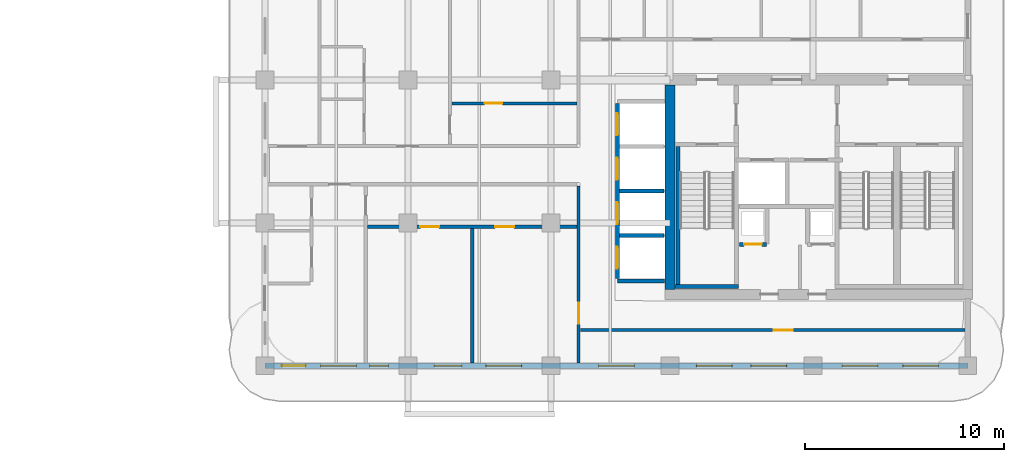
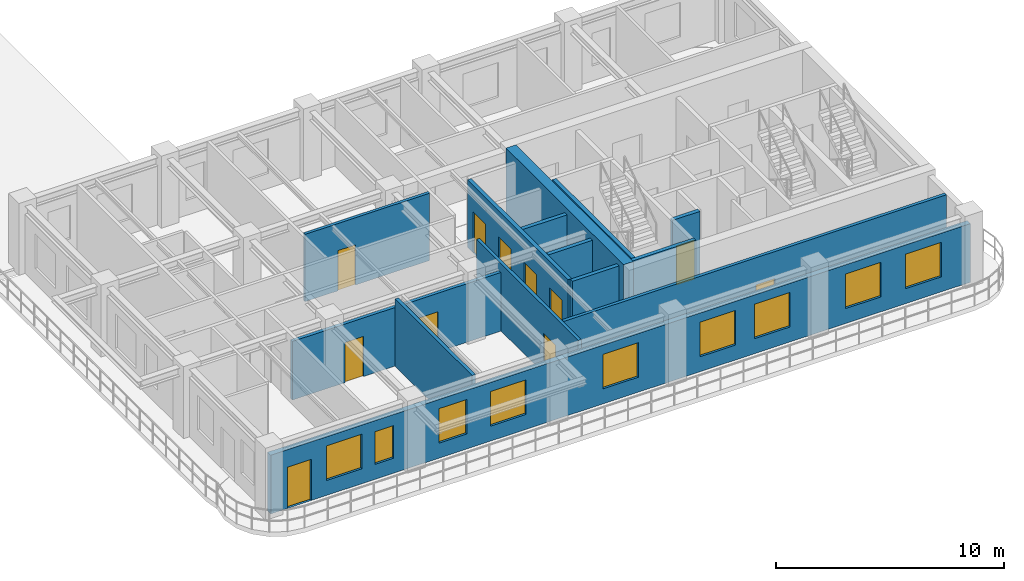
# One storey, part 3 of 8: 14 walls, 11 doors, 9 windows, 20 openings.
"""IFC4 building model written with IfcOpenShell, lengths in metres."""

from ifc_helpers import new_model, si_unit, derived_unit, direction, frame, frame_2d, origin, place, context, subcontext, project, spatial, rectangle, extrude, source, transform, mapped, material, layer, layer_set, type_object, type_shapes, element, fill, save


model = new_model("IFC4")

# Units and contexts
model_context = context("Model", 3, precision=1e-05, world=origin(), true_north=direction((0.0, 1.0)))
body_context = subcontext(model_context, "Body", "Model", "MODEL_VIEW")
ifc_project = project(units=[si_unit("LENGTHUNIT", "METRE"), si_unit("AREAUNIT", "SQUARE_METRE"), si_unit("VOLUMEUNIT", "CUBIC_METRE"), si_unit("PLANEANGLEUNIT", "RADIAN"), si_unit("MASSUNIT", "GRAM", prefix="KILO"), si_unit("THERMODYNAMICTEMPERATUREUNIT", "KELVIN"), si_unit("POWERUNIT", "WATT"), derived_unit("THERMALTRANSMITTANCEUNIT", [(si_unit("POWERUNIT", "WATT"), 1), (si_unit("AREAUNIT", "SQUARE_METRE"), -1), (si_unit("THERMODYNAMICTEMPERATUREUNIT", "KELVIN"), -1)])], contexts=[model_context])

# Site, building, storey
site_placement = place(None, origin())
site = spatial("IfcSite", under=ifc_project, at=site_placement, CompositionType="ELEMENT")
building_placement = place(site_placement, origin())
building = spatial("IfcBuilding", under=site, at=building_placement, Name="Zahravan Archway Hotel and Residences", CompositionType="ELEMENT")
storey_placement = place(building_placement, frame((0.0, 0.0, 213.449951171875)))
storey = spatial("IfcBuildingStorey", under=building, at=storey_placement, Name="L53", CompositionType="ELEMENT", Elevation=213.449951171875)

# Wall
ifc_material_1 = material(Name="Concrete C60/75", Category="concrete")
ifc_layer_1 = layer(ifc_material_1, 0.5, Name="Concrete C60/75", Category="concrete")
ifc_layer_set_1 = layer_set([ifc_layer_1], Name="Concrete C60/75")
wall_type_1 = type_object("IfcWallType", Name="CW-CORE-500", PredefinedType="SHEAR", material=ifc_layer_set_1)
wall_1_placement = place(storey_placement, frame((34.800048828125, 3.85009765625, 0.0), z_axis=(0.0, 0.0, 1.0), x_axis=(0.0, 1.0, 0.0)))
element("IfcWall", 1, at=wall_1_placement, inside=storey, type_object=wall_type_1, Name="L53 Core A Shear W Wall 500 mm", PredefinedType="SHEAR", context=body_context, shape_type="SweptSolid", body=[
    extrude(rectangle(XDim=10.2998046875, YDim=0.5, at=frame_2d((5.14990234375, 0.0))), origin(), (0.0, 0.0, 1.0), 3.85009765625),
])

# Wall, openings, door, windows
ifc_material_2 = material(Name="Honed Red-Ochre Sandstone & Insulated Block", Category="masonry")
ifc_layer_2 = layer(ifc_material_2, 0.280029296875, Name="Honed Red-Ochre Sandstone & Insulated Block", Category="masonry")
ifc_layer_set_2 = layer_set([ifc_layer_2], Name="Honed Red-Ochre Sandstone & Insulated Block")
wall_type_2 = type_object("IfcWallType", Name="EW-LOG-280", PredefinedType="SOLIDWALL", material=ifc_layer_set_2)
wall_2_placement = place(storey_placement, frame((14.39990234375, 0.0, 0.0), z_axis=(0.0, 0.0, 1.0), x_axis=(1.0, 0.0, 0.0)))
wall_2 = element("IfcWall", 2, at=wall_2_placement, inside=storey, type_object=wall_type_2, Name="L53 Exterior Sandstone Wall WA-S", PredefinedType="SOLIDWALL", context=body_context, shape_type="SweptSolid", body=[
    extrude(rectangle(XDim=35.400146484375, YDim=0.280029296875, at=frame_2d((17.7001953125, 0.0))), origin(), (0.0, 0.0, 1.0), 3.135009765625),
])
opening_1_placement = place(wall_2_placement, frame((0.85009765625, 0.0, 0.0)))
opening_1 = element("IfcOpeningElement", 3, at=opening_1_placement, cuts=wall_2, Name="Opening ED-BL1", PredefinedType="OPENING", context=body_context, shape_type="SweptSolid", body=[
    extrude(rectangle(XDim=1.199951171875, YDim=2.199951171875, at=frame_2d((0.60009765625, 1.10009765625))), frame((0.0, 0.14990234375, 0.0), z_axis=(0.0, -1.0, 0.0), x_axis=(1.0, 0.0, 0.0)), (0.0, 0.0, 1.0), 0.300048828125),
])
opening_2_placement = place(wall_2_placement, frame((2.81103515625, 0.0, 0.800048828125)))
opening_2 = element("IfcOpeningElement", 4, at=opening_2_placement, cuts=wall_2, Name="Opening W-02", PredefinedType="OPENING", context=body_context, shape_type="SweptSolid", body=[
    extrude(rectangle(XDim=1.800048828125, YDim=1.85009765625, at=frame_2d((0.89990234375, 0.925048828125))), frame((0.0, 0.14990234375, 0.0), z_axis=(0.0, -1.0, 0.0), x_axis=(1.0, 0.0, 0.0)), (0.0, 0.0, 1.0), 0.300048828125),
])
opening_3_placement = place(wall_2_placement, frame((5.26904296875, 0.0, 0.800048828125)))
opening_3 = element("IfcOpeningElement", 5, at=opening_3_placement, cuts=wall_2, Name="Opening W-04", PredefinedType="OPENING", context=body_context, shape_type="SweptSolid", body=[
    extrude(rectangle(XDim=0.949951171875, YDim=1.75, at=frame_2d((0.47509765625, 0.875))), frame((0.0, 0.14990234375, 0.0), z_axis=(0.0, -1.0, 0.0), x_axis=(1.0, 0.0, 0.0)), (0.0, 0.0, 1.0), 0.300048828125),
])
opening_4_placement = place(wall_2_placement, frame((8.51611328125, 0.0, 0.800048828125)))
opening_4 = element("IfcOpeningElement", 6, at=opening_4_placement, cuts=wall_2, Name="Opening W-03", PredefinedType="OPENING", context=body_context, shape_type="SweptSolid", body=[
    extrude(rectangle(XDim=1.39990234375, YDim=1.85009765625, at=frame_2d((0.699951171875, 0.925048828125))), frame((0.0, 0.14990234375, 0.0), z_axis=(0.0, -1.0, 0.0), x_axis=(1.0, 0.0, 0.0)), (0.0, 0.0, 1.0), 0.300048828125),
])
opening_5_placement = place(wall_2_placement, frame((11.1240234375, 0.0, 0.800048828125)))
opening_5 = element("IfcOpeningElement", 7, at=opening_5_placement, cuts=wall_2, Name="Opening W-02", PredefinedType="OPENING", context=body_context, shape_type="SweptSolid", body=[
    extrude(rectangle(XDim=1.800048828125, YDim=1.85009765625, at=frame_2d((0.89990234375, 0.925048828125))), frame((0.0, 0.14990234375, 0.0), z_axis=(0.0, -1.0, 0.0), x_axis=(1.0, 0.0, 0.0)), (0.0, 0.0, 1.0), 0.300048828125),
])
opening_6_placement = place(wall_2_placement, frame((16.803955078125, 0.0, 0.800048828125)))
opening_6 = element("IfcOpeningElement", 8, at=opening_6_placement, cuts=wall_2, Name="Opening W-02", PredefinedType="OPENING", context=body_context, shape_type="SweptSolid", body=[
    extrude(rectangle(XDim=1.800048828125, YDim=1.85009765625, at=frame_2d((0.89990234375, 0.925048828125))), frame((0.0, 0.14990234375, 0.0), z_axis=(0.0, -1.0, 0.0), x_axis=(1.0, 0.0, 0.0)), (0.0, 0.0, 1.0), 0.300048828125),
])
opening_7_placement = place(wall_2_placement, frame((21.72509765625, 0.0, 0.800048828125)))
opening_7 = element("IfcOpeningElement", 9, at=opening_7_placement, cuts=wall_2, Name="Opening W-02", PredefinedType="OPENING", context=body_context, shape_type="SweptSolid", body=[
    extrude(rectangle(XDim=1.800048828125, YDim=1.85009765625, at=frame_2d((0.89990234375, 0.925048828125))), frame((0.0, 0.14990234375, 0.0), z_axis=(0.0, -1.0, 0.0), x_axis=(1.0, 0.0, 0.0)), (0.0, 0.0, 1.0), 0.300048828125),
])
opening_8_placement = place(wall_2_placement, frame((24.47509765625, 0.0, 0.800048828125)))
opening_8 = element("IfcOpeningElement", 10, at=opening_8_placement, cuts=wall_2, Name="Opening W-02", PredefinedType="OPENING", context=body_context, shape_type="SweptSolid", body=[
    extrude(rectangle(XDim=1.800048828125, YDim=1.85009765625, at=frame_2d((0.89990234375, 0.925048828125))), frame((0.0, 0.14990234375, 0.0), z_axis=(0.0, -1.0, 0.0), x_axis=(1.0, 0.0, 0.0)), (0.0, 0.0, 1.0), 0.300048828125),
])
opening_9_placement = place(wall_2_placement, frame((29.074951171875, 0.0, 0.800048828125)))
opening_9 = element("IfcOpeningElement", 11, at=opening_9_placement, cuts=wall_2, Name="Opening W-02", PredefinedType="OPENING", context=body_context, shape_type="SweptSolid", body=[
    extrude(rectangle(XDim=1.800048828125, YDim=1.85009765625, at=frame_2d((0.89990234375, 0.925048828125))), frame((0.0, 0.14990234375, 0.0), z_axis=(0.0, -1.0, 0.0), x_axis=(1.0, 0.0, 0.0)), (0.0, 0.0, 1.0), 0.300048828125),
])
opening_10_placement = place(wall_2_placement, frame((32.125, 0.0, 0.800048828125)))
opening_10 = element("IfcOpeningElement", 12, at=opening_10_placement, cuts=wall_2, Name="Opening W-02", PredefinedType="OPENING", context=body_context, shape_type="SweptSolid", body=[
    extrude(rectangle(XDim=1.800048828125, YDim=1.85009765625, at=frame_2d((0.89990234375, 0.925048828125))), frame((0.0, 0.14990234375, 0.0), z_axis=(0.0, -1.0, 0.0), x_axis=(1.0, 0.0, 0.0)), (0.0, 0.0, 1.0), 0.300048828125),
])
ifc_material_3 = material(Name="Bronze-Anodized Glazed Aluminium", Category="aluminium")
door_type_1 = type_object("IfcDoorType", Name="ED-BALC-1200", OperationType="SLIDING_TO_LEFT", PredefinedType="DOOR", material=ifc_material_3)
shared_shape_1 = source(origin(), body_context, "Body", "SweptSolid", [
    extrude(rectangle(XDim=1.199951171875, YDim=2.199951171875, at=frame_2d((0.60009765625, 1.10009765625))), frame((0.0, 0.02490234375, 0.0), z_axis=(0.0, -1.0, 0.0), x_axis=(1.0, 0.0, 0.0)), (0.0, 0.0, 1.0), 0.050048828125),
])
type_shapes(door_type_1, [shared_shape_1])
door_1_placement = place(opening_1_placement, origin())
door_1 = element("IfcDoor", 13, at=door_1_placement, inside=storey, type_object=door_type_1, Name="L53 Outdoor Access Sliding Door (SLB-BAL-L53-SA)", OperationType="SLIDING_TO_LEFT", OverallHeight=2.199951171875, OverallWidth=1.199951171875, PredefinedType="DOOR", context=body_context, shape_type="MappedRepresentation", body=[
    mapped(shared_shape_1, transform((0.0, 0.0, 0.0), scale=1.0)),
])
fill(opening_1, door_1)
ifc_material_4 = material(Name="Bronze-Anodized Thermal-Break Aluminium & Low-E Glass", Category="aluminium")
window_type_1 = type_object("IfcWindowType", Name="WIN-TWR-1400", PartitioningType="SINGLE_PANEL", PredefinedType="WINDOW", material=ifc_material_4)
shared_shape_2 = source(origin(), body_context, "Body", "SweptSolid", [
    extrude(rectangle(XDim=1.39990234375, YDim=1.85009765625, at=frame_2d((0.699951171875, 0.925048828125))), frame((0.0, 0.030029296875, 0.0), z_axis=(0.0, -1.0, 0.0), x_axis=(1.0, 0.0, 0.0)), (0.0, 0.0, 1.0), 0.06005859375),
])
type_shapes(window_type_1, [shared_shape_2])
window_1_placement = place(opening_4_placement, origin())
window_1 = element("IfcWindow", 14, at=window_1_placement, inside=storey, type_object=window_type_1, Name="L53 Loggia Window 03", OverallHeight=1.85009765625, OverallWidth=1.39990234375, PartitioningType="SINGLE_PANEL", PredefinedType="WINDOW", context=body_context, shape_type="MappedRepresentation", body=[
    mapped(shared_shape_2, transform((0.0, 0.0, 0.0), scale=1.0)),
])
fill(opening_4, window_1)
window_type_2 = type_object("IfcWindowType", Name="WIN-NAR-950", PartitioningType="SINGLE_PANEL", PredefinedType="WINDOW", material=ifc_material_4)
shared_shape_3 = source(origin(), body_context, "Body", "SweptSolid", [
    extrude(rectangle(XDim=0.949951171875, YDim=1.75, at=frame_2d((0.47509765625, 0.875))), frame((0.0, 0.030029296875, 0.0), z_axis=(0.0, -1.0, 0.0), x_axis=(1.0, 0.0, 0.0)), (0.0, 0.0, 1.0), 0.06005859375),
])
type_shapes(window_type_2, [shared_shape_3])
window_2_placement = place(opening_3_placement, origin())
window_2 = element("IfcWindow", 15, at=window_2_placement, inside=storey, type_object=window_type_2, Name="L53 Loggia Window 02", OverallHeight=1.75, OverallWidth=0.949951171875, PartitioningType="SINGLE_PANEL", PredefinedType="WINDOW", context=body_context, shape_type="MappedRepresentation", body=[
    mapped(shared_shape_3, transform((0.0, 0.0, 0.0), scale=1.0)),
])
fill(opening_3, window_2)
window_type_3 = type_object("IfcWindowType", Name="WIN-TWR-1800", PartitioningType="DOUBLE_PANEL_VERTICAL", PredefinedType="WINDOW", material=ifc_material_4)
shared_shape_4 = source(origin(), body_context, "Body", "SweptSolid", [
    extrude(rectangle(XDim=1.800048828125, YDim=1.85009765625, at=frame_2d((0.89990234375, 0.925048828125))), frame((0.0, 0.030029296875, 0.0), z_axis=(0.0, -1.0, 0.0), x_axis=(1.0, 0.0, 0.0)), (0.0, 0.0, 1.0), 0.06005859375),
])
type_shapes(window_type_3, [shared_shape_4])
window_3_placement = place(opening_2_placement, origin())
window_3 = element("IfcWindow", 16, at=window_3_placement, inside=storey, type_object=window_type_3, Name="L53 Loggia Window 01", OverallHeight=1.85009765625, OverallWidth=1.800048828125, PartitioningType="DOUBLE_PANEL_VERTICAL", PredefinedType="WINDOW", context=body_context, shape_type="MappedRepresentation", body=[
    mapped(shared_shape_4, transform((0.0, 0.0, 0.0), scale=1.0)),
])
fill(opening_2, window_3)
window_4_placement = place(opening_5_placement, origin())
window_4 = element("IfcWindow", 17, at=window_4_placement, inside=storey, type_object=window_type_3, Name="L53 Loggia Window 04", OverallHeight=1.85009765625, OverallWidth=1.800048828125, PartitioningType="DOUBLE_PANEL_VERTICAL", PredefinedType="WINDOW", context=body_context, shape_type="MappedRepresentation", body=[
    mapped(shared_shape_4, transform((0.0, 0.0, 0.0), scale=1.0)),
])
fill(opening_5, window_4)
window_5_placement = place(opening_6_placement, origin())
window_5 = element("IfcWindow", 18, at=window_5_placement, inside=storey, type_object=window_type_3, Name="L53 Loggia Window 05", OverallHeight=1.85009765625, OverallWidth=1.800048828125, PartitioningType="DOUBLE_PANEL_VERTICAL", PredefinedType="WINDOW", context=body_context, shape_type="MappedRepresentation", body=[
    mapped(shared_shape_4, transform((0.0, 0.0, 0.0), scale=1.0)),
])
fill(opening_6, window_5)
window_6_placement = place(opening_7_placement, origin())
window_6 = element("IfcWindow", 19, at=window_6_placement, inside=storey, type_object=window_type_3, Name="L53 Loggia Window 06", OverallHeight=1.85009765625, OverallWidth=1.800048828125, PartitioningType="DOUBLE_PANEL_VERTICAL", PredefinedType="WINDOW", context=body_context, shape_type="MappedRepresentation", body=[
    mapped(shared_shape_4, transform((0.0, 0.0, 0.0), scale=1.0)),
])
fill(opening_7, window_6)
window_7_placement = place(opening_8_placement, origin())
window_7 = element("IfcWindow", 20, at=window_7_placement, inside=storey, type_object=window_type_3, Name="L53 Loggia Window 07", OverallHeight=1.85009765625, OverallWidth=1.800048828125, PartitioningType="DOUBLE_PANEL_VERTICAL", PredefinedType="WINDOW", context=body_context, shape_type="MappedRepresentation", body=[
    mapped(shared_shape_4, transform((0.0, 0.0, 0.0), scale=1.0)),
])
fill(opening_8, window_7)
window_8_placement = place(opening_9_placement, origin())
window_8 = element("IfcWindow", 21, at=window_8_placement, inside=storey, type_object=window_type_3, Name="L53 Loggia Window 08", OverallHeight=1.85009765625, OverallWidth=1.800048828125, PartitioningType="DOUBLE_PANEL_VERTICAL", PredefinedType="WINDOW", context=body_context, shape_type="MappedRepresentation", body=[
    mapped(shared_shape_4, transform((0.0, 0.0, 0.0), scale=1.0)),
])
fill(opening_9, window_8)
window_9_placement = place(opening_10_placement, origin())
window_9 = element("IfcWindow", 22, at=window_9_placement, inside=storey, type_object=window_type_3, Name="L53 Loggia Window 09", OverallHeight=1.85009765625, OverallWidth=1.800048828125, PartitioningType="DOUBLE_PANEL_VERTICAL", PredefinedType="WINDOW", context=body_context, shape_type="MappedRepresentation", body=[
    mapped(shared_shape_4, transform((0.0, 0.0, 0.0), scale=1.0)),
])
fill(opening_10, window_9)

# Wall, opening, door
ifc_material_5 = material(Name="Fire-Rated Gypsum & Concrete Block", Category="concrete")
ifc_layer_3 = layer(ifc_material_5, 0.159912109375, Name="Fire-Rated Gypsum & Concrete Block", Category="concrete")
ifc_layer_set_3 = layer_set([ifc_layer_3], Name="Fire-Rated Gypsum & Concrete Block")
wall_type_3 = type_object("IfcWallType", Name="PW-CORR-160", PredefinedType="PARTITIONING", material=ifc_layer_set_3)
wall_3_placement = place(storey_placement, frame((30.199951171875, 0.14794921875, 0.0), z_axis=(0.0, 0.0, 1.0), x_axis=(0.0, 1.0, 0.0)))
wall_3 = element("IfcWall", 23, at=wall_3_placement, inside=storey, type_object=wall_type_3, Name="L53 Partition WA-SRW", PredefinedType="PARTITIONING", context=body_context, shape_type="SweptSolid", body=[
    extrude(rectangle(XDim=8.912109375, YDim=0.159912109375, at=frame_2d((4.4560546875, 0.0))), origin(), (0.0, 0.0, 1.0), 3.60009765625),
])
opening_11_placement = place(wall_3_placement, frame((1.97705078125, 0.0, 0.0)))
opening_11 = element("IfcOpeningElement", 24, at=opening_11_placement, cuts=wall_3, Name="Opening FD-L2", PredefinedType="OPENING", context=body_context, shape_type="SweptSolid", body=[
    extrude(rectangle(XDim=1.050048828125, YDim=2.14990234375, at=frame_2d((0.52490234375, 1.074951171875))), frame((0.0, 0.08984375, 0.0), z_axis=(0.0, -1.0, 0.0), x_axis=(1.0, 0.0, 0.0)), (0.0, 0.0, 1.0), 0.179931640625),
])
ifc_material_6 = material(Name="Fire-Rated Painted Steel", Category="steel")
door_type_2 = type_object("IfcDoorType", Name="FD-LOBBY-1100", OperationType="NOTDEFINED", PredefinedType="DOOR", material=ifc_material_6)
shared_shape_5 = source(origin(), body_context, "Body", "SweptSolid", [
    extrude(rectangle(XDim=1.050048828125, YDim=2.14990234375, at=frame_2d((0.52490234375, 1.074951171875))), frame((0.0, 0.02490234375, 0.0), z_axis=(0.0, -1.0, 0.0), x_axis=(1.0, 0.0, 0.0)), (0.0, 0.0, 1.0), 0.050048828125),
])
type_shapes(door_type_2, [shared_shape_5])
door_2_placement = place(opening_11_placement, origin())
door_2 = element("IfcDoor", 25, at=door_2_placement, inside=storey, type_object=door_type_2, Name="L53 South Riser Corridor Door", OperationType="SINGLE_SWING_LEFT", OverallHeight=2.14990234375, OverallWidth=1.050048828125, PredefinedType="DOOR", context=body_context, shape_type="MappedRepresentation", body=[
    mapped(shared_shape_5, transform((0.0, 0.0, 0.0), scale=1.0)),
])
fill(opening_11, door_2)

wall_4_placement = place(storey_placement, frame((30.2900390625, 1.800048828125, 0.0), z_axis=(0.0, 0.0, 1.0), x_axis=(1.0, 0.0, 0.0)))
wall_4 = element("IfcWall", 26, at=wall_4_placement, inside=storey, type_object=wall_type_3, Name="L53 Partition WA-SRS", PredefinedType="PARTITIONING", context=body_context, shape_type="SweptSolid", body=[
    extrude(rectangle(XDim=19.369873046875, YDim=0.159912109375, at=frame_2d((9.68505859375, 0.0))), origin(), (0.0, 0.0, 1.0), 3.60009765625),
])
opening_12_placement = place(wall_4_placement, frame((9.735107421875, 0.0, 0.0)))
opening_12 = element("IfcOpeningElement", 27, at=opening_12_placement, cuts=wall_4, Name="Opening D-I1", PredefinedType="OPENING", context=body_context, shape_type="SweptSolid", body=[
    extrude(rectangle(XDim=0.949951171875, YDim=2.14990234375, at=frame_2d((0.47509765625, 1.074951171875))), frame((0.0, 0.08984375, 0.0), z_axis=(0.0, -1.0, 0.0), x_axis=(1.0, 0.0, 0.0)), (0.0, 0.0, 1.0), 0.179931640625),
])
ifc_material_7 = material(Name="Hardwood Veneer Timber", Category="wood")
door_type_3 = type_object("IfcDoorType", Name="ID-INT-950", OperationType="NOTDEFINED", PredefinedType="DOOR", material=ifc_material_7)
shared_shape_6 = source(origin(), body_context, "Body", "SweptSolid", [
    extrude(rectangle(XDim=0.949951171875, YDim=2.14990234375, at=frame_2d((0.47509765625, 1.074951171875))), frame((0.0, 0.02490234375, 0.0), z_axis=(0.0, -1.0, 0.0), x_axis=(1.0, 0.0, 0.0)), (0.0, 0.0, 1.0), 0.050048828125),
])
type_shapes(door_type_3, [shared_shape_6])
door_3_placement = place(opening_12_placement, origin())
door_3 = element("IfcDoor", 28, at=door_3_placement, inside=storey, type_object=door_type_3, Name="L53 South Viewing Lounge Door", OperationType="SINGLE_SWING_RIGHT", OverallHeight=2.14990234375, OverallWidth=0.949951171875, PredefinedType="DOOR", context=body_context, shape_type="MappedRepresentation", body=[
    mapped(shared_shape_6, transform((0.0, 0.0, 0.0), scale=1.0)),
])
fill(opening_12, door_3)

ifc_layer_4 = layer(ifc_material_5, 0.199951171875, Name="Fire-Rated Gypsum & Concrete Block", Category="concrete")
ifc_layer_set_4 = layer_set([ifc_layer_4], Name="Fire-Rated Gypsum & Concrete Block")
wall_type_4 = type_object("IfcWallType", Name="PW-SHAFT-200", PredefinedType="PARTITIONING", material=ifc_layer_set_4)
wall_5_placement = place(storey_placement, frame((38.2900390625, 6.1201171875, 0.0), z_axis=(0.0, 0.0, 1.0), x_axis=(1.0, 0.0, 0.0)))
wall_5 = element("IfcWall", 29, at=wall_5_placement, inside=storey, type_object=wall_type_4, Name="L53 Partition CA-SMKS", PredefinedType="PARTITIONING", context=body_context, shape_type="SweptSolid", body=[
    extrude(rectangle(XDim=1.3798828125, YDim=0.199951171875, at=frame_2d((0.68994140625, 0.0))), origin(), (0.0, 0.0, 1.0), 3.60009765625),
])
opening_13_placement = place(wall_5_placement, frame((0.239990234375, 0.0, 0.0)))
opening_13 = element("IfcOpeningElement", 30, at=opening_13_placement, cuts=wall_5, Name="Opening FD-R1", PredefinedType="OPENING", context=body_context, shape_type="SweptSolid", body=[
    extrude(rectangle(XDim=0.89990234375, YDim=2.10009765625, at=frame_2d((0.449951171875, 1.050048828125))), frame((0.0, 0.10986328125, 0.0), z_axis=(0.0, -1.0, 0.0), x_axis=(1.0, 0.0, 0.0)), (0.0, 0.0, 1.0), 0.219970703125),
])
door_type_4 = type_object("IfcDoorType", Name="FD-RISER-900", OperationType="NOTDEFINED", PredefinedType="DOOR", material=ifc_material_6)
shared_shape_7 = source(origin(), body_context, "Body", "SweptSolid", [
    extrude(rectangle(XDim=0.89990234375, YDim=2.10009765625, at=frame_2d((0.449951171875, 1.050048828125))), frame((0.0, 0.02490234375, 0.0), z_axis=(0.0, -1.0, 0.0), x_axis=(1.0, 0.0, 0.0)), (0.0, 0.0, 1.0), 0.050048828125),
])
type_shapes(door_type_4, [shared_shape_7])
door_4_placement = place(opening_13_placement, origin())
door_4 = element("IfcDoor", 31, at=door_4_placement, inside=storey, type_object=door_type_4, Name="L53 Smoke Riser Access Door", OperationType="SINGLE_SWING_LEFT", OverallHeight=2.10009765625, OverallWidth=0.89990234375, PredefinedType="DOOR", context=body_context, shape_type="MappedRepresentation", body=[
    mapped(shared_shape_7, transform((0.0, 0.0, 0.0), scale=1.0)),
])
fill(opening_13, door_4)

# Wall
wall_6_placement = place(storey_placement, frame((32.159912109375, 4.280029296875, 0.0), z_axis=(0.0, 0.0, 1.0), x_axis=(1.0, 0.0, 0.0)))
element("IfcWall", 32, at=wall_6_placement, inside=storey, type_object=wall_type_4, Name="L53 Partition B3-S", PredefinedType="PARTITIONING", context=body_context, shape_type="SweptSolid", body=[
    extrude(rectangle(XDim=2.360107421875, YDim=0.199951171875, at=frame_2d((1.18017578125, 0.0))), origin(), (0.0, 0.0, 1.0), 3.60009765625),
])

# Wall, openings, doors
wall_7_placement = place(storey_placement, frame((32.14990234375, 4.389892578125, 0.0), z_axis=(0.0, 0.0, 1.0), x_axis=(0.0, 1.0, 0.0)))
wall_7 = element("IfcWall", 33, at=wall_7_placement, inside=storey, type_object=wall_type_4, Name="L53 Partition B3-W", PredefinedType="PARTITIONING", context=body_context, shape_type="SweptSolid", body=[
    extrude(rectangle(XDim=8.820068359375, YDim=0.199951171875, at=frame_2d((4.41015625, 0.0))), origin(), (0.0, 0.0, 1.0), 3.60009765625),
])
opening_14_placement = place(wall_7_placement, frame((0.5, 0.0, 0.0)))
opening_14 = element("IfcOpeningElement", 34, at=opening_14_placement, cuts=wall_7, Name="Opening LD", PredefinedType="OPENING", context=body_context, shape_type="SweptSolid", body=[
    extrude(rectangle(XDim=1.10009765625, YDim=2.199951171875, at=frame_2d((0.550048828125, 1.10009765625))), frame((0.0, 0.10986328125, 0.0), z_axis=(0.0, -1.0, 0.0), x_axis=(1.0, 0.0, 0.0)), (0.0, 0.0, 1.0), 0.219970703125),
])
opening_15_placement = place(wall_7_placement, frame((2.739990234375, 0.0, 0.0)))
opening_15 = element("IfcOpeningElement", 35, at=opening_15_placement, cuts=wall_7, Name="Opening LD", PredefinedType="OPENING", context=body_context, shape_type="SweptSolid", body=[
    extrude(rectangle(XDim=1.10009765625, YDim=2.199951171875, at=frame_2d((0.550048828125, 1.10009765625))), frame((0.0, 0.10986328125, 0.0), z_axis=(0.0, -1.0, 0.0), x_axis=(1.0, 0.0, 0.0)), (0.0, 0.0, 1.0), 0.219970703125),
])
opening_16_placement = place(wall_7_placement, frame((4.97998046875, 0.0, 0.0)))
opening_16 = element("IfcOpeningElement", 36, at=opening_16_placement, cuts=wall_7, Name="Opening LD", PredefinedType="OPENING", context=body_context, shape_type="SweptSolid", body=[
    extrude(rectangle(XDim=1.10009765625, YDim=2.199951171875, at=frame_2d((0.550048828125, 1.10009765625))), frame((0.0, 0.10986328125, 0.0), z_axis=(0.0, -1.0, 0.0), x_axis=(1.0, 0.0, 0.0)), (0.0, 0.0, 1.0), 0.219970703125),
])
opening_17_placement = place(wall_7_placement, frame((7.219970703125, 0.0, 0.0)))
opening_17 = element("IfcOpeningElement", 37, at=opening_17_placement, cuts=wall_7, Name="Opening LD", PredefinedType="OPENING", context=body_context, shape_type="SweptSolid", body=[
    extrude(rectangle(XDim=1.10009765625, YDim=2.199951171875, at=frame_2d((0.550048828125, 1.10009765625))), frame((0.0, 0.10986328125, 0.0), z_axis=(0.0, -1.0, 0.0), x_axis=(1.0, 0.0, 0.0)), (0.0, 0.0, 1.0), 0.219970703125),
])
ifc_material_8 = material(Name="Brushed Stainless Steel", Category="steel")
door_type_5 = type_object("IfcDoorType", Name="DR-LIFT-LD", OperationType="SLIDING_TO_LEFT", PredefinedType="DOOR", material=ifc_material_8)
shared_shape_8 = source(origin(), body_context, "Body", "SweptSolid", [
    extrude(rectangle(XDim=1.10009765625, YDim=2.199951171875, at=frame_2d((0.550048828125, 1.10009765625))), frame((0.0, 0.02490234375, 0.0), z_axis=(0.0, -1.0, 0.0), x_axis=(1.0, 0.0, 0.0)), (0.0, 0.0, 1.0), 0.050048828125),
])
type_shapes(door_type_5, [shared_shape_8])
door_5_placement = place(opening_14_placement, origin())
door_5 = element("IfcDoor", 38, at=door_5_placement, inside=storey, type_object=door_type_5, Name="L53 Lift LP-7 Sliding Landing Door", OperationType="SLIDING_TO_LEFT", OverallHeight=2.199951171875, OverallWidth=1.10009765625, PredefinedType="DOOR", context=body_context, shape_type="MappedRepresentation", body=[
    mapped(shared_shape_8, transform((0.0, 0.0, 0.0), scale=1.0)),
])
fill(opening_14, door_5)
door_6_placement = place(opening_15_placement, origin())
door_6 = element("IfcDoor", 39, at=door_6_placement, inside=storey, type_object=door_type_5, Name="L53 Lift LP-8 Sliding Landing Door", OperationType="SLIDING_TO_LEFT", OverallHeight=2.199951171875, OverallWidth=1.10009765625, PredefinedType="DOOR", context=body_context, shape_type="MappedRepresentation", body=[
    mapped(shared_shape_8, transform((0.0, 0.0, 0.0), scale=1.0)),
])
fill(opening_15, door_6)
door_7_placement = place(opening_16_placement, origin())
door_7 = element("IfcDoor", 40, at=door_7_placement, inside=storey, type_object=door_type_5, Name="L53 Lift LP-9 Sliding Landing Door", OperationType="SLIDING_TO_LEFT", OverallHeight=2.199951171875, OverallWidth=1.10009765625, PredefinedType="DOOR", context=body_context, shape_type="MappedRepresentation", body=[
    mapped(shared_shape_8, transform((0.0, 0.0, 0.0), scale=1.0)),
])
fill(opening_16, door_7)
door_8_placement = place(opening_17_placement, origin())
door_8 = element("IfcDoor", 41, at=door_8_placement, inside=storey, type_object=door_type_5, Name="L53 Lift LP-10 Sliding Landing Door", OperationType="SLIDING_TO_LEFT", OverallHeight=2.199951171875, OverallWidth=1.10009765625, PredefinedType="DOOR", context=body_context, shape_type="MappedRepresentation", body=[
    mapped(shared_shape_8, transform((0.0, 0.0, 0.0), scale=1.0)),
])
fill(opening_17, door_8)

# Walls
for number, where, z_axis, x_axis, name in (
    (42, (32.260009765625, 6.56005859375, 0.0), (0.0, 0.0, 1.0), (1.0, 0.0, 0.0), "L53 Partition B3-D"),
    (43, (32.260009765625, 8.800048828125, 0.0), (0.0, 0.0, 1.0), (1.0, 0.0, 0.0), "L53 Partition B3-D"),
):
    element("IfcWall", number, at=place(storey_placement, frame(where, z_axis=z_axis, x_axis=x_axis)), inside=storey, type_object=wall_type_4, Name=name, PredefinedType="PARTITIONING", context=body_context, shape_type="SweptSolid", body=[
        extrude(rectangle(XDim=2.22998046875, YDim=0.199951171875, at=frame_2d((1.114990234375, 0.0))), origin(), (0.0, 0.0, 1.0), 3.60009765625),
    ])

# Wall, opening, door
ifc_material_9 = material(Name="Acoustic Stud Partition")
ifc_layer_5 = layer(ifc_material_9, 0.14990234375, Name="Acoustic Stud Partition")
ifc_layer_set_5 = layer_set([ifc_layer_5], Name="Acoustic Stud Partition")
wall_type_5 = type_object("IfcWallType", Name="PW-UNIT-150", PredefinedType="PARTITIONING", material=ifc_layer_set_5)
wall_8_placement = place(storey_placement, frame((23.81005859375, 13.219970703125, 0.0), z_axis=(0.0, 0.0, 1.0), x_axis=(1.0, 0.0, 0.0)))
wall_8 = element("IfcWall", 44, at=wall_8_placement, inside=storey, type_object=wall_type_5, Name="L53 Partition FL-N1-GH", PredefinedType="PARTITIONING", context=body_context, shape_type="SweptSolid", body=[
    extrude(rectangle(XDim=6.300048828125, YDim=0.14990234375, at=frame_2d((3.14990234375, 0.0))), origin(), (0.0, 0.0, 1.0), 3.60009765625),
])
opening_18_placement = place(wall_8_placement, frame((1.64990234375, 0.0, 0.0)))
opening_18 = element("IfcOpeningElement", 45, at=opening_18_placement, cuts=wall_8, Name="Opening D-I2", PredefinedType="OPENING", context=body_context, shape_type="SweptSolid", body=[
    extrude(rectangle(XDim=0.89990234375, YDim=2.14990234375, at=frame_2d((0.449951171875, 1.074951171875))), frame((0.0, 0.0849609375, 0.0), z_axis=(0.0, -1.0, 0.0), x_axis=(1.0, 0.0, 0.0)), (0.0, 0.0, 1.0), 0.169921875),
])
door_type_6 = type_object("IfcDoorType", Name="ID-INT-900", OperationType="NOTDEFINED", PredefinedType="DOOR", material=ifc_material_7)
shared_shape_9 = source(origin(), body_context, "Body", "SweptSolid", [
    extrude(rectangle(XDim=0.89990234375, YDim=2.14990234375, at=frame_2d((0.449951171875, 1.074951171875))), frame((0.0, 0.02490234375, 0.0), z_axis=(0.0, -1.0, 0.0), x_axis=(1.0, 0.0, 0.0)), (0.0, 0.0, 1.0), 0.050048828125),
])
type_shapes(door_type_6, [shared_shape_9])
door_9_placement = place(opening_18_placement, origin())
door_9 = element("IfcDoor", 46, at=door_9_placement, inside=storey, type_object=door_type_6, Name="L53 Flat N1 Bedroom 1 Door", OperationType="SINGLE_SWING_LEFT", OverallHeight=2.14990234375, OverallWidth=0.89990234375, PredefinedType="DOOR", context=body_context, shape_type="MappedRepresentation", body=[
    mapped(shared_shape_9, transform((0.0, 0.0, 0.0), scale=1.0)),
])
fill(opening_18, door_9)

# Wall, openings, doors
ifc_layer_6 = layer(ifc_material_9, 0.169921875, Name="Acoustic Stud Partition")
ifc_layer_set_6 = layer_set([ifc_layer_6], Name="Acoustic Stud Partition")
wall_type_6 = type_object("IfcWallType", Name="PW-UNIT-170", PredefinedType="PARTITIONING", material=ifc_layer_set_6)
wall_9_placement = place(storey_placement, frame((19.570068359375, 7.0, 0.0), z_axis=(0.0, 0.0, 1.0), x_axis=(1.0, 0.0, 0.0)))
wall_9 = element("IfcWall", 47, at=wall_9_placement, inside=storey, type_object=wall_type_6, Name="L53 Partition FL-S1-GH", PredefinedType="PARTITIONING", context=body_context, shape_type="SweptSolid", body=[
    extrude(rectangle(XDim=10.5400390625, YDim=0.169921875, at=frame_2d((5.27001953125, 0.0))), origin(), (0.0, 0.0, 1.0), 3.135009765625),
])
opening_19_placement = place(wall_9_placement, frame((2.6552734375, 0.0, 0.0)))
opening_19 = element("IfcOpeningElement", 48, at=opening_19_placement, cuts=wall_9, Name="Opening D-I1", PredefinedType="OPENING", context=body_context, shape_type="SweptSolid", body=[
    extrude(rectangle(XDim=0.949951171875, YDim=2.14990234375, at=frame_2d((0.47509765625, 1.074951171875))), frame((0.0, 0.094970703125, 0.0), z_axis=(0.0, -1.0, 0.0), x_axis=(1.0, 0.0, 0.0)), (0.0, 0.0, 1.0), 0.18994140625),
])
opening_20_placement = place(wall_9_placement, frame((6.425048828125, 0.0, 0.0)))
opening_20 = element("IfcOpeningElement", 49, at=opening_20_placement, cuts=wall_9, Name="Opening D-I1", PredefinedType="OPENING", context=body_context, shape_type="SweptSolid", body=[
    extrude(rectangle(XDim=0.949951171875, YDim=2.14990234375, at=frame_2d((0.47509765625, 1.074951171875))), frame((0.0, 0.094970703125, 0.0), z_axis=(0.0, -1.0, 0.0), x_axis=(1.0, 0.0, 0.0)), (0.0, 0.0, 1.0), 0.18994140625),
])
door_10_placement = place(opening_19_placement, origin())
door_10 = element("IfcDoor", 50, at=door_10_placement, inside=storey, type_object=door_type_3, Name="L53 Flat S1 Bedroom 1 Door", OperationType="SINGLE_SWING_RIGHT", OverallHeight=2.14990234375, OverallWidth=0.949951171875, PredefinedType="DOOR", context=body_context, shape_type="MappedRepresentation", body=[
    mapped(shared_shape_6, transform((0.0, 0.0, 0.0), scale=1.0)),
])
fill(opening_19, door_10)
door_11_placement = place(opening_20_placement, origin())
door_11 = element("IfcDoor", 51, at=door_11_placement, inside=storey, type_object=door_type_3, Name="L53 Flat S1 Bedroom 2 Door", OperationType="SINGLE_SWING_RIGHT", OverallHeight=2.14990234375, OverallWidth=0.949951171875, PredefinedType="DOOR", context=body_context, shape_type="MappedRepresentation", body=[
    mapped(shared_shape_6, transform((0.0, 0.0, 0.0), scale=1.0)),
])
fill(opening_20, door_11)

# Walls
wall_10_placement = place(storey_placement, frame((24.840087890625, 0.14794921875, 0.0), z_axis=(0.0, 0.0, 1.0), x_axis=(0.0, 1.0, 0.0)))
element("IfcWall", 52, at=wall_10_placement, inside=storey, type_object=wall_type_6, Name="L53 Partition FL-S1-BD1", PredefinedType="PARTITIONING", context=body_context, shape_type="SweptSolid", body=[
    extrude(rectangle(XDim=6.761962890625, YDim=0.169921875, at=frame_2d((3.380859375, 0.0))), origin(), (0.0, 0.0, 1.0), 3.60009765625),
])
ifc_material_10 = material(Name="Concrete C50/60", Category="concrete")
ifc_layer_7 = layer(ifc_material_10, 0.199951171875, Name="Concrete C50/60", Category="concrete")
ifc_layer_set_7 = layer_set([ifc_layer_7], Name="Concrete C50/60")
wall_type_7 = type_object("IfcWallType", Name="SW-STAIR-200", PredefinedType="SHEAR", material=ifc_layer_set_7)
wall_11_placement = place(storey_placement, frame((35.050048828125, 4.0, 0.0), z_axis=(0.0, 0.0, 1.0), x_axis=(1.0, 0.0, 0.0)))
element("IfcWall", 53, at=wall_11_placement, inside=storey, type_object=wall_type_7, Name="L53 Stairwell RC Wall CA-SA1S", PredefinedType="SHEAR", context=body_context, shape_type="SweptSolid", body=[
    extrude(rectangle(XDim=3.18994140625, YDim=0.199951171875, at=frame_2d((1.594970703125, 0.0))), origin(), (0.0, 0.0, 1.0), 3.85009765625),
])
wall_12_placement = place(storey_placement, frame((35.199951171875, 4.10009765625, 0.0), z_axis=(0.0, 0.0, 1.0), x_axis=(0.0, 1.0, 0.0)))
element("IfcWall", 54, at=wall_12_placement, inside=storey, type_object=wall_type_7, Name="L53 Stairwell RC Wall CA-SA1W", PredefinedType="SHEAR", context=body_context, shape_type="SweptSolid", body=[
    extrude(rectangle(XDim=6.949951171875, YDim=0.199951171875, at=frame_2d((3.47509765625, 0.0))), origin(), (0.0, 0.0, 1.0), 3.85009765625),
])

save(model, "model.ifc")
